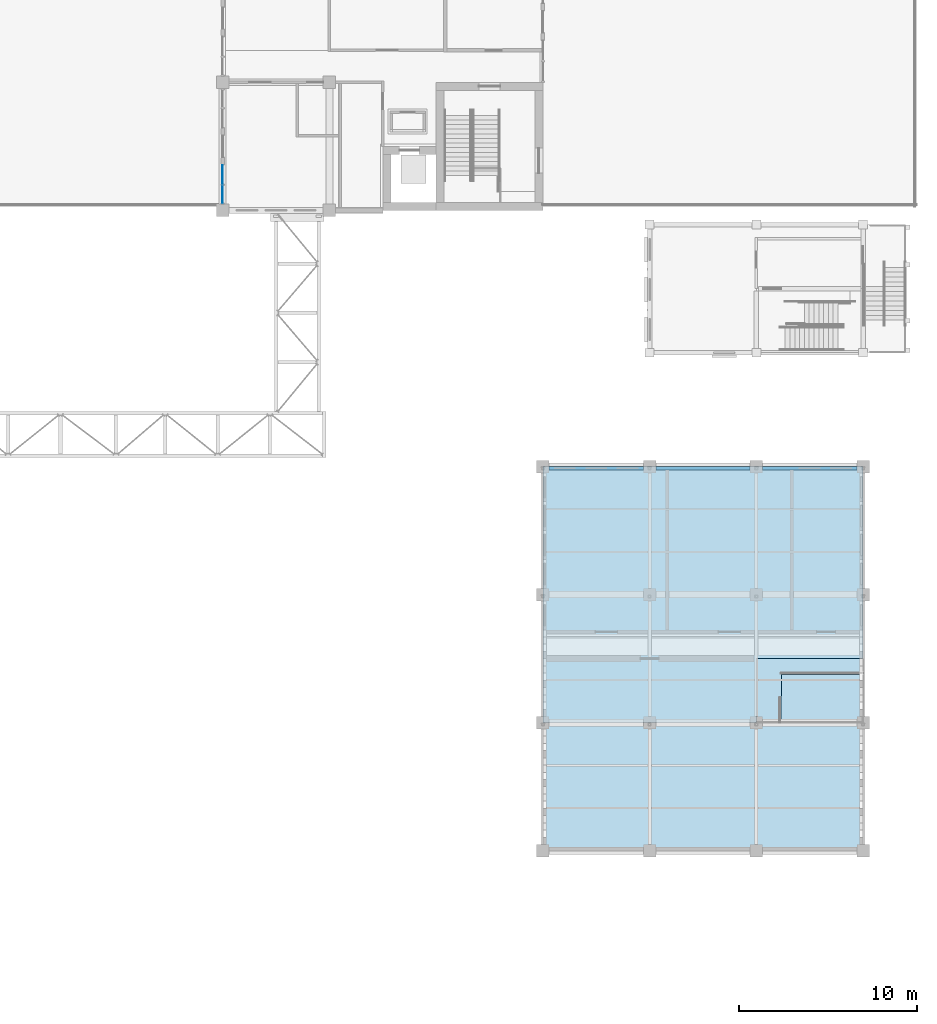
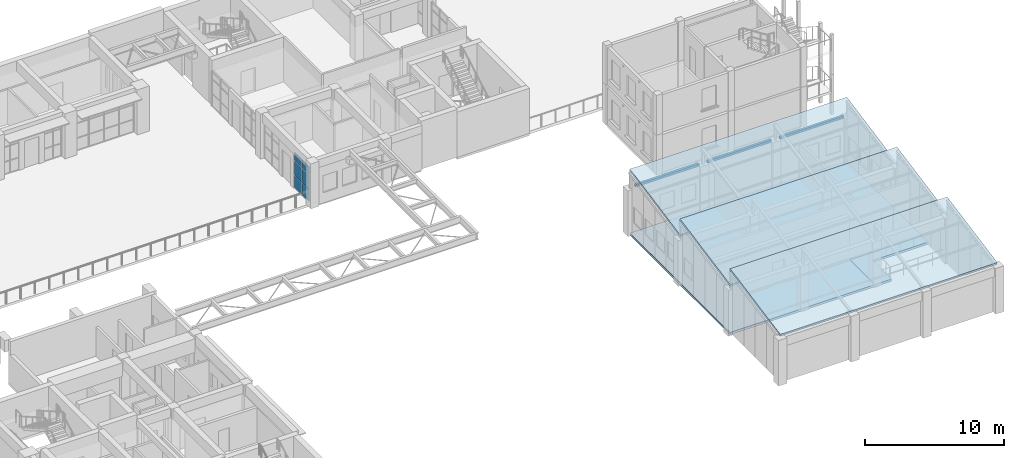
# One storey, part 52 of 103: 9 plates, 5 slabs, 1 element without a shape of its own.
"""IFC4 building model written with IfcOpenShell, lengths in metres."""

from ifc_helpers import new_model, si_unit, direction, frame, origin, origin_2d, place, context, subcontext, project, spatial, polyline, rectangle, outline, extrude, material, layer, layer_set, type_object, element, aggregate, save


model = new_model("IFC4")

# Units and contexts
model_context = context("Model", 3, precision=1e-05, world=origin(), true_north=direction((0.0, 1.0)))
body_context = subcontext(model_context, "Body", "Model", "MODEL_VIEW")
ifc_project = project(units=[si_unit("LENGTHUNIT", "METRE"), si_unit("AREAUNIT", "SQUARE_METRE"), si_unit("VOLUMEUNIT", "CUBIC_METRE"), si_unit("PLANEANGLEUNIT", "RADIAN"), si_unit("MASSUNIT", "GRAM", prefix="KILO")], contexts=[model_context])

# Site, building, storey
site_placement = place(None, origin())
site = spatial("IfcSite", under=ifc_project, at=site_placement, CompositionType="ELEMENT")
building_placement = place(site_placement, origin())
building = spatial("IfcBuilding", under=site, at=building_placement, Name="Laocheng Heights Fire and Rescue Headquarters", CompositionType="ELEMENT")
storey_placement = place(building_placement, frame((0.0, 0.0, 4.199951171875)))
storey = spatial("IfcBuildingStorey", under=building, at=storey_placement, Name="L01", CompositionType="ELEMENT", Elevation=4.199951171875)

# Curtain wall, plates
ifc_material_1 = material(Name="Dark anodised aluminium unitised curtain wall, low-e double glazing", Category="aluminium")
curtain_wall_type = type_object("IfcCurtainWallType", Name="CW 2200 x 3150 CREW COURT GLAZING", PredefinedType="NOTDEFINED", material=ifc_material_1)
curtain_wall_placement = place(storey_placement, origin())
curtain_wall = element("IfcCurtainWall", 1, at=curtain_wall_placement, inside=storey, type_object=curtain_wall_type, Name="X1-W CREW WEST L01", PredefinedType="NOTDEFINED")
ifc_material_2 = material(Name="Low-e double glazed unit, laminated inner pane")
ifc_layer_1 = layer(ifc_material_2, 0.028076171875)
ifc_layer_set_1 = layer_set([ifc_layer_1], Name="Low-e double glazed unit, laminated inner pane")
plate_type_1 = type_object("IfcPlateType", Name="CW VISION PANEL 28 W", PredefinedType="CURTAIN_PANEL", material=ifc_layer_set_1)
plate_1_placement = place(storey_placement, frame((90.0, 36.9150390625, 0.050048828125), z_axis=(0.0, 0.0, 1.0), x_axis=(0.0, 1.0, 0.0)))
plate_1 = element("IfcPlate", 2, at=plate_1_placement, type_object=plate_type_1, Name="X1-W panel 1.1", PredefinedType="CURTAIN_PANEL", context=body_context, shape_type="SweptSolid", body=[
    extrude(rectangle(XDim=1.010009765625, YDim=0.028076171875, at=origin_2d()), origin(), (0.0, 0.0, 1.0), 1.02490234375),
])
plate_2_placement = place(storey_placement, frame((90.0, 36.9150390625, 1.125), z_axis=(0.0, 0.0, 1.0), x_axis=(0.0, 1.0, 0.0)))
plate_2 = element("IfcPlate", 3, at=plate_2_placement, type_object=plate_type_1, Name="X1-W panel 1.2", PredefinedType="CURTAIN_PANEL", context=body_context, shape_type="SweptSolid", body=[
    extrude(rectangle(XDim=1.010009765625, YDim=0.028076171875, at=origin_2d()), origin(), (0.0, 0.0, 1.0), 1.25),
])
plate_3_placement = place(storey_placement, frame((90.0, 36.9150390625, 2.4248046875), z_axis=(0.0, 0.0, 1.0), x_axis=(0.0, 1.0, 0.0)))
plate_3 = element("IfcPlate", 4, at=plate_3_placement, type_object=plate_type_1, Name="X1-W panel 1.3", PredefinedType="CURTAIN_PANEL", context=body_context, shape_type="SweptSolid", body=[
    extrude(rectangle(XDim=1.010009765625, YDim=0.028076171875, at=origin_2d()), origin(), (0.0, 0.0, 1.0), 0.675048828125),
])
plate_4_placement = place(storey_placement, frame((90.0, 38.014892578125, 0.050048828125), z_axis=(0.0, 0.0, 1.0), x_axis=(0.0, 1.0, 0.0)))
plate_4 = element("IfcPlate", 5, at=plate_4_placement, type_object=plate_type_1, Name="X1-W panel 2.1", PredefinedType="CURTAIN_PANEL", context=body_context, shape_type="SweptSolid", body=[
    extrude(rectangle(XDim=1.070068359375, YDim=0.028076171875, at=origin_2d()), origin(), (0.0, 0.0, 1.0), 1.02490234375),
])
plate_5_placement = place(storey_placement, frame((90.0, 38.014892578125, 1.125), z_axis=(0.0, 0.0, 1.0), x_axis=(0.0, 1.0, 0.0)))
plate_5 = element("IfcPlate", 6, at=plate_5_placement, type_object=plate_type_1, Name="X1-W panel 2.2", PredefinedType="CURTAIN_PANEL", context=body_context, shape_type="SweptSolid", body=[
    extrude(rectangle(XDim=1.070068359375, YDim=0.028076171875, at=origin_2d()), origin(), (0.0, 0.0, 1.0), 1.25),
])
plate_6_placement = place(storey_placement, frame((90.0, 38.014892578125, 2.4248046875), z_axis=(0.0, 0.0, 1.0), x_axis=(0.0, 1.0, 0.0)))
plate_6 = element("IfcPlate", 7, at=plate_6_placement, type_object=plate_type_1, Name="X1-W panel 2.3", PredefinedType="CURTAIN_PANEL", context=body_context, shape_type="SweptSolid", body=[
    extrude(rectangle(XDim=1.070068359375, YDim=0.028076171875, at=origin_2d()), origin(), (0.0, 0.0, 1.0), 0.675048828125),
])
aggregate(curtain_wall, [plate_1, plate_2, plate_3, plate_4, plate_5, plate_6])

# Slabs
ifc_material_3 = material(Name="Concrete C40", Category="concrete")
ifc_layer_2 = layer(ifc_material_3, 0.199951171875)
ifc_layer_set_2 = layer_set([ifc_layer_2], Name="Concrete C40")
slab_type_1 = type_object("IfcSlabType", Name="RC MEZZANINE SLAB WORKSHOP 200", PredefinedType="FLOOR", material=ifc_layer_set_2)
slab_1_placement = place(storey_placement, frame((0.0, 0.0, -0.199951171875)))
element("IfcSlab", 8, at=slab_1_placement, inside=storey, type_object=slab_type_1, Name="Workshop mezzanine slab", PredefinedType="FLOOR", context=body_context, shape_type="SweptSolid", body=[
    extrude(outline(polyline([(108.0, 7.199951171875), (120.0, 7.199951171875), (120.0, 10.800048828125), (126.0, 10.800048828125), (126.0, 21.60009765625), (108.0, 21.60009765625), (108.0, 7.199951171875)])), origin(), (0.0, 0.0, 1.0), 0.199951171875),
])
ifc_material_4 = material(Name="Concrete C40", Category="concrete")
ifc_layer_3 = layer(ifc_material_4, 0.199951171875)
ifc_layer_set_3 = layer_set([ifc_layer_3], Name="Concrete C40")
slab_type_2 = type_object("IfcSlabType", Name="RC SAWTOOTH ROOF SLAB 200", PredefinedType="ROOF", material=ifc_layer_set_3)
for number, where, z_axis, x_axis, name in (
    (9, (108.0, 0.0, 4.199951171875), (0.0, -0.190890149825, 0.98161140514), (1.0, 0.0, 0.0), "Sawtooth roof plane 1"),
    (10, (108.0, 7.199951171875, 4.199951171875), (0.0, -0.190890149825, 0.98161140514), (1.0, 0.0, 0.0), "Sawtooth roof plane 2"),
):
    element("IfcSlab", number, at=place(storey_placement, frame(where, z_axis=z_axis, x_axis=x_axis)), inside=storey, type_object=slab_type_2, Name=name, PredefinedType="ROOF", context=body_context, shape_type="SweptSolid", body=[
        extrude(outline(polyline([(0.0, 0.0), (18.0, 0.0), (18.0, 7.334828358938733), (0.0, 7.334828358938733), (0.0, 0.0)])), origin(), (0.0, 0.0, -1.0), 0.199951171875),
    ])
slab_2_placement = place(storey_placement, frame((108.0, 14.39990234375, 4.199951171875), z_axis=(0.0, -0.190883913061, 0.981612617958), x_axis=(1.0, 0.0, 0.0)))
element("IfcSlab", 11, at=slab_2_placement, inside=storey, type_object=slab_type_2, Name="Sawtooth roof plane 3", PredefinedType="ROOF", context=body_context, shape_type="SweptSolid", body=[
    extrude(outline(polyline([(0.0, 0.0), (18.0, 0.0), (18.0, 7.335068010308741), (0.0, 7.335068010308741), (0.0, 0.0)])), origin(), (0.0, 0.0, -1.0), 0.199951171875),
])

# Plates
ifc_material_5 = material(Name="Aluminium profiled sheet cladding on insulated steel liner", Category="steel")
ifc_layer_4 = layer(ifc_material_5, 0.199951171875)
ifc_layer_set_4 = layer_set([ifc_layer_4], Name="Aluminium profiled sheet cladding on insulated steel liner")
plate_type_2 = type_object("IfcPlateType", Name="SAWTOOTH END CLOSURE PLATE 200", PredefinedType="SHEET", material=ifc_layer_set_4)
for number, where, z_axis, x_axis, name in (
    (12, (111.0, 21.5, 4.003662109375), (0.0, 0.0, 1.0), (1.0, 0.0, 0.0), "Sawtooth end closure plate 73"),
    (13, (117.0, 21.5, 4.003662109375), (0.0, 0.0, 1.0), (1.0, 0.0, 0.0), "Sawtooth end closure plate 74"),
    (14, (123.0, 21.5, 4.003662109375), (0.0, 0.0, 1.0), (1.0, 0.0, 0.0), "Sawtooth end closure plate 75"),
):
    element("IfcPlate", number, at=place(storey_placement, frame(where, z_axis=z_axis, x_axis=x_axis)), inside=storey, type_object=plate_type_2, Name=name, PredefinedType="SHEET", context=body_context, shape_type="SweptSolid", body=[
        extrude(rectangle(XDim=5.300048828125, YDim=0.199951171875, at=origin_2d()), origin(), (0.0, 0.0, 1.0), 0.1962890625),
    ])

# Slab
ifc_material_6 = material(Name="Concrete C40", Category="concrete")
ifc_layer_5 = layer(ifc_material_6, 0.199951171875)
ifc_layer_set_5 = layer_set([ifc_layer_5], Name="Concrete C40")
slab_type_3 = type_object("IfcSlabType", Name="STAIR FLOOR LANDING 200", PredefinedType="LANDING", material=ifc_layer_set_5)
slab_3_placement = place(storey_placement, frame((0.0, 0.0, -0.199951171875)))
element("IfcSlab", 15, at=slab_3_placement, inside=storey, type_object=slab_type_3, Name="Stair W3 floor landing L01", PredefinedType="LANDING", context=body_context, shape_type="SweptSolid", body=[
    extrude(outline(polyline([(120.0, 10.800048828125), (126.0, 10.800048828125), (126.0, 9.89990234375), (123.888427734375, 9.89990234375), (121.403076171875, 9.89990234375), (121.403076171875, 8.699951171875), (121.39990234375, 8.699951171875), (121.39990234375, 7.199951171875), (120.0, 7.199951171875), (120.0, 10.800048828125)])), origin(), (0.0, 0.0, 1.0), 0.199951171875),
])

save(model, "model.ifc")
